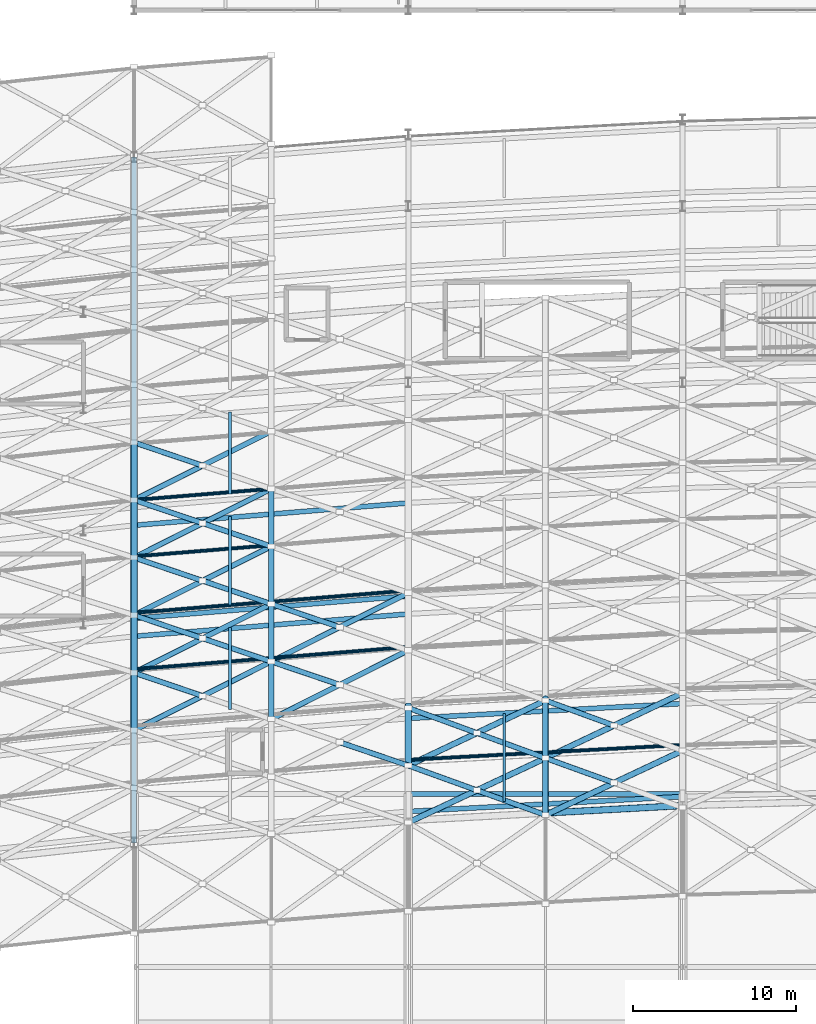
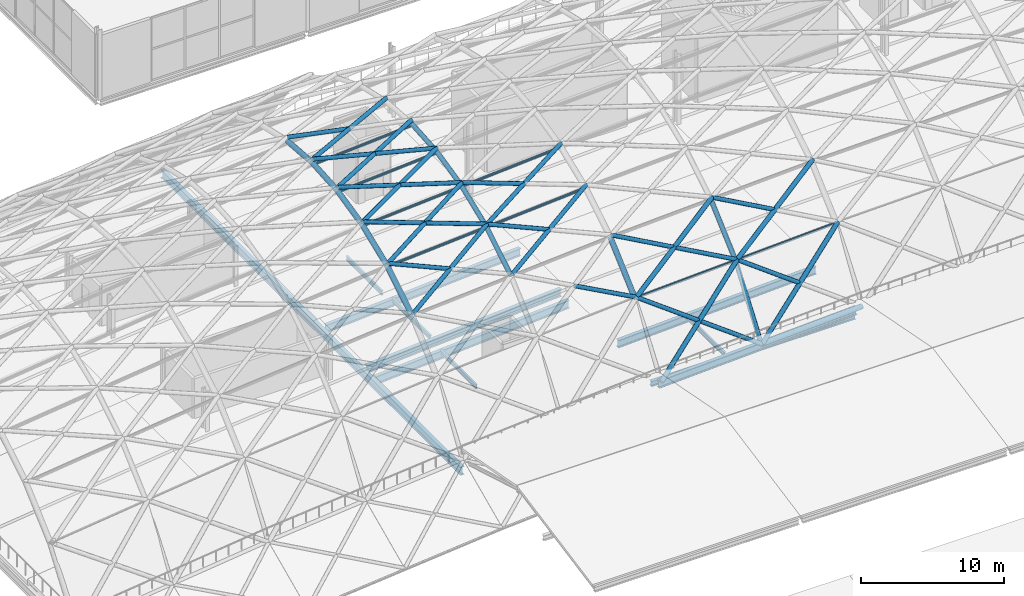
# One storey, part 15 of 100: 49 members, 11 beams.
"""IFC4 building model written with IfcOpenShell, lengths in metres."""

from ifc_helpers import new_model, si_unit, direction, frame, origin, origin_2d, place, context, subcontext, project, spatial, hollow_circle, i_section, extrude, material, material_profile, profile_set, type_object, element, save


model = new_model("IFC4")

# Units and contexts
model_context = context("Model", 3, precision=1e-05, world=origin(), true_north=direction((0.0, 1.0)))
body_context = subcontext(model_context, "Body", "Model", "MODEL_VIEW")
ifc_project = project(units=[si_unit("LENGTHUNIT", "METRE"), si_unit("AREAUNIT", "SQUARE_METRE"), si_unit("VOLUMEUNIT", "CUBIC_METRE"), si_unit("PLANEANGLEUNIT", "RADIAN"), si_unit("MASSUNIT", "GRAM", prefix="KILO")], contexts=[model_context])

# Site, building, storey
site_placement = place(None, origin())
site = spatial("IfcSite", under=ifc_project, at=site_placement, CompositionType="ELEMENT")
building_placement = place(site_placement, origin())
building = spatial("IfcBuilding", under=site, at=building_placement, Name="Kimbaza Rail Terminus", CompositionType="ELEMENT")
storey_placement = place(building_placement, frame((0.0, 0.0, 10.800048828125)))
storey = spatial("IfcBuildingStorey", under=building, at=storey_placement, Name="L02", CompositionType="ELEMENT", Elevation=10.800048828125)

# Beams
ifc_material_1 = material(Name="Steel S355", Category="steel")
ifc_material_profile_1 = material_profile(ifc_material_1, i_section(OverallWidth=0.300048828125, OverallDepth=0.43994140625, WebThickness=0.011474609375, FlangeThickness=0.02099609375, FilletRadius=0.027099609375, at=origin_2d()), Name="HEA 450")
ifc_profile_set_1 = profile_set([ifc_material_profile_1], Name="Steel S355")
beam_type_1 = type_object("IfcBeamType", Name="STR-BM-HEA450", PredefinedType="SPANDREL", material=ifc_profile_set_1)
beam_1_placement = place(storey_placement, frame((72.14599609375, 55.0, -1.179931640625), z_axis=(1.0, 0.0, 0.0), x_axis=(0.0, 1.0, 0.0)))
element("IfcBeam", 1, at=beam_1_placement, inside=storey, type_object=beam_type_1, Name="Beam BM-SKYEDGE-55-1", PredefinedType="SPANDREL", context=body_context, shape_type="SweptSolid", body=[
    extrude(i_section(OverallWidth=0.300048828125, OverallDepth=0.43994140625, WebThickness=0.011474609375, FlangeThickness=0.02099609375, FilletRadius=0.027099609375, at=origin_2d()), origin(), (0.0, 0.0, 1.0), 16.508056640625),
])
ifc_material_2 = material(Name="Steel S355", Category="steel")
ifc_material_profile_2 = material_profile(ifc_material_2, i_section(OverallWidth=0.300048828125, OverallDepth=0.64990234375, WebThickness=0.01611328125, FlangeThickness=0.031005859375, FilletRadius=0.027099609375, at=origin_2d()), Name="HEB 650")
ifc_profile_set_2 = profile_set([ifc_material_profile_2], Name="Steel S355")
beam_type_2 = type_object("IfcBeamType", Name="STR-BM-HEB650", PredefinedType="USERDEFINED", material=ifc_profile_set_2)
for number, where, z_axis, x_axis, name in (
    (2, (55.344482421875, 65.76708984375, -0.5849609375), (0.996689077675, 0.081307333267, 0.0), (-0.081307333267, 0.996689077675, 0.0), "Viaduct Chorded Girder P2 Bay 03"),
    (3, (55.344482421875, 71.46728515625, -0.5849609375), (0.996690271877, 0.081292693071, 0.0), (-0.081292693071, 0.996690271877, 0.0), "Viaduct Chorded Girder P2 Bay 03"),
):
    element("IfcBeam", number, at=place(storey_placement, frame(where, z_axis=z_axis, x_axis=x_axis)), inside=storey, type_object=beam_type_2, Name=name, ObjectType="GIRDER", PredefinedType="USERDEFINED", context=body_context, shape_type="SweptSolid", body=[
        extrude(i_section(OverallWidth=0.300048828125, OverallDepth=0.64990234375, WebThickness=0.01611328125, FlangeThickness=0.031005859375, FilletRadius=0.027099609375, at=origin_2d()), origin(), (0.0, 0.0, 1.0), 16.56591796875),
    ])
for number, where, z_axis, x_axis, name in (
    (4, (72.144775390625, 53.93359375, -0.5849609375), (0.998529923153, 0.054203252368, 0.0), (-0.054203252368, 0.998529923153, 0.0), "Viaduct Chorded Girder P1 Bay 04"),
    (5, (72.144775390625, 59.633544921875, -0.5849609375), (0.998529923153, 0.054203252368, 0.0), (-0.054203252368, 0.998529923153, 0.0), "Viaduct Chorded Girder P1 Bay 04"),
):
    element("IfcBeam", number, at=place(storey_placement, frame(where, z_axis=z_axis, x_axis=x_axis)), inside=storey, type_object=beam_type_2, Name=name, ObjectType="GIRDER", PredefinedType="USERDEFINED", context=body_context, shape_type="SweptSolid", body=[
        extrude(i_section(OverallWidth=0.300048828125, OverallDepth=0.64990234375, WebThickness=0.01611328125, FlangeThickness=0.031005859375, FilletRadius=0.027099609375, at=origin_2d()), origin(), (0.0, 0.0, 1.0), 16.534912109375),
    ])
ifc_material_3 = material(Name="Steel S355", Category="steel")
ifc_material_profile_3 = material_profile(ifc_material_3, i_section(OverallWidth=0.300048828125, OverallDepth=0.699951171875, WebThickness=0.01708984375, FlangeThickness=0.031982421875, FilletRadius=0.027099609375, at=origin_2d()), Name="HEB 700")
ifc_profile_set_3 = profile_set([ifc_material_profile_3], Name="Steel S355")
beam_type_3 = type_object("IfcBeamType", Name="STR-BM-HEB700", PredefinedType="USERDEFINED", material=ifc_profile_set_3)
beam_2_placement = place(storey_placement, frame((55.199951171875, 52.00537109375, -0.920166015625), z_axis=(0.0, 1.0, 0.0), x_axis=(-1.0, 0.0, 0.0)))
element("IfcBeam", 6, at=beam_2_placement, inside=storey, type_object=beam_type_3, Name="Viaduct Pier Crosshead Girder VP-03", ObjectType="GIRDER", PredefinedType="USERDEFINED", context=body_context, shape_type="SweptSolid", body=[
    extrude(i_section(OverallWidth=0.300048828125, OverallDepth=0.699951171875, WebThickness=0.01708984375, FlangeThickness=0.031982421875, FilletRadius=0.027099609375, at=origin_2d()), origin(), (0.0, 0.0, 1.0), 42.0),
])
beam_3_placement = place(storey_placement, frame((55.344482421875, 64.667236328125, -0.920166015625), z_axis=(0.996690271877, 0.081292693071, 0.0), x_axis=(-0.081292693071, 0.996690271877, 0.0)))
element("IfcBeam", 7, at=beam_3_placement, inside=storey, type_object=beam_type_3, Name="Viaduct Chorded Girder TR12 Bay 03", ObjectType="GIRDER", PredefinedType="USERDEFINED", context=body_context, shape_type="SweptSolid", body=[
    extrude(i_section(OverallWidth=0.300048828125, OverallDepth=0.699951171875, WebThickness=0.01708984375, FlangeThickness=0.031982421875, FilletRadius=0.027099609375, at=origin_2d()), origin(), (0.0, 0.0, 1.0), 16.56591796875),
])
ifc_material_4 = material(Name="Steel S355", Category="steel")
ifc_material_profile_4 = material_profile(ifc_material_4, i_section(OverallWidth=0.169921875, OverallDepth=0.360107421875, WebThickness=0.008056640625, FlangeThickness=0.0126953125, FilletRadius=0.01806640625, at=origin_2d()), Name="IPE 360")
ifc_profile_set_4 = profile_set([ifc_material_profile_4], Name="Steel S355")
beam_type_4 = type_object("IfcBeamType", Name="STR-BM-IPE360", PredefinedType="JOIST", material=ifc_profile_set_4)
beam_4_placement = place(storey_placement, frame((61.080078125, 60.185546875, -0.75), z_axis=(0.0, 1.0, 0.0), x_axis=(-1.0, 0.0, 0.0)))
element("IfcBeam", 8, at=beam_4_placement, inside=storey, type_object=beam_type_4, Name="Viaduct Diaphragm TR12 Bay 03", PredefinedType="JOIST", context=body_context, shape_type="SweptSolid", body=[
    extrude(i_section(OverallWidth=0.169921875, OverallDepth=0.360107421875, WebThickness=0.008056640625, FlangeThickness=0.0126953125, FilletRadius=0.01806640625, at=origin_2d()), origin(), (0.0, 0.0, 1.0), 5.010009765625),
])
beam_5_placement = place(storey_placement, frame((61.080078125, 66.585693359375, -0.43994140625), z_axis=(0.0, 1.0, 0.0), x_axis=(-1.0, 0.0, 0.0)))
element("IfcBeam", 9, at=beam_5_placement, inside=storey, type_object=beam_type_4, Name="Viaduct Diaphragm P2 Bay 03", PredefinedType="JOIST", context=body_context, shape_type="SweptSolid", body=[
    extrude(i_section(OverallWidth=0.169921875, OverallDepth=0.360107421875, WebThickness=0.008056640625, FlangeThickness=0.0126953125, FilletRadius=0.01806640625, at=origin_2d()), origin(), (0.0, 0.0, 1.0), 5.409912109375),
])
beam_6_placement = place(storey_placement, frame((61.080078125, 73.385498046875, -0.75), z_axis=(0.0, 1.0, 0.0), x_axis=(-1.0, 0.0, 0.0)))
element("IfcBeam", 10, at=beam_6_placement, inside=storey, type_object=beam_type_4, Name="Viaduct Diaphragm TR34 Bay 03", PredefinedType="JOIST", context=body_context, shape_type="SweptSolid", body=[
    extrude(i_section(OverallWidth=0.169921875, OverallDepth=0.360107421875, WebThickness=0.008056640625, FlangeThickness=0.0126953125, FilletRadius=0.01806640625, at=origin_2d()), origin(), (0.0, 0.0, 1.0), 5.010009765625),
])
beam_7_placement = place(storey_placement, frame((77.8798828125, 54.526611328125, -0.43994140625), z_axis=(0.0, 1.0, 0.0), x_axis=(-1.0, 0.0, 0.0)))
element("IfcBeam", 11, at=beam_7_placement, inside=storey, type_object=beam_type_4, Name="Viaduct Diaphragm P1 Bay 04", PredefinedType="JOIST", context=body_context, shape_type="SweptSolid", body=[
    extrude(i_section(OverallWidth=0.169921875, OverallDepth=0.360107421875, WebThickness=0.008056640625, FlangeThickness=0.0126953125, FilletRadius=0.01806640625, at=origin_2d()), origin(), (0.0, 0.0, 1.0), 5.41015625),
])

# Members
ifc_material_5 = material(Name="White painted steel S355", Category="steel")
ifc_material_profile_5 = material_profile(ifc_material_5, hollow_circle(Radius=0.109619140625, WallThickness=0.008056640625, at=origin_2d()), Name="CHS 219.1x8")
ifc_profile_set_5 = profile_set([ifc_material_profile_5], Name="White painted steel S355")
member_type_1 = type_object("IfcMemberType", Name="STR-MB-CHS219", PredefinedType="PURLIN", material=ifc_profile_set_5)
for number, where, z_axis, x_axis, name in (
    (12, (55.199951171875, 62.63427734375, 10.078857421875), (0.996688689454, 0.081312092054, 0.0), (-0.081312092054, 0.996688689454, 0.0), "Vault lattice longitudinal purlin VR-04-VA04"),
    (13, (55.199951171875, 66.09130859375, 11.462158203125), (0.996688689454, 0.081312092054, 0.0), (-0.081312092054, 0.996688689454, 0.0), "Vault lattice longitudinal purlin VR-04-VA05"),
    (14, (55.199951171875, 69.54833984375, 12.25244140625), (0.996688689454, 0.081312092054, 0.0), (-0.081312092054, 0.996688689454, 0.0), "Vault lattice longitudinal purlin VR-04-VA06"),
    (15, (55.199951171875, 73.00537109375, 12.510009765625), (0.996688689454, 0.081312092054, 0.0), (-0.081312092054, 0.996688689454, 0.0), "Vault lattice longitudinal purlin VR-04-VA07"),
):
    element("IfcMember", number, at=place(storey_placement, frame(where, z_axis=z_axis, x_axis=x_axis)), inside=storey, type_object=member_type_1, Name=name, PredefinedType="PURLIN", context=body_context, shape_type="SweptSolid", body=[
        extrude(hollow_circle(Radius=0.109619140625, WallThickness=0.008056640625, at=origin_2d()), origin(), (0.0, 0.0, 1.0), 8.427978515625),
    ])
for number, where, z_axis, x_axis, name in (
    (16, (63.60009765625, 63.319580078125, 10.078857421875), (0.996690845265, 0.081285662728, 0.0), (-0.081285662728, 0.996690845265, 0.0), "Vault lattice longitudinal purlin VR-05-VA04"),
    (17, (63.60009765625, 66.776611328125, 11.462158203125), (0.996690845265, 0.081285662728, 0.0), (-0.081285662728, 0.996690845265, 0.0), "Vault lattice longitudinal purlin VR-05-VA05"),
):
    element("IfcMember", number, at=place(storey_placement, frame(where, z_axis=z_axis, x_axis=x_axis)), inside=storey, type_object=member_type_1, Name=name, PredefinedType="PURLIN", context=body_context, shape_type="SweptSolid", body=[
        extrude(hollow_circle(Radius=0.109619140625, WallThickness=0.008056640625, at=origin_2d()), origin(), (0.0, 0.0, 1.0), 8.427734375),
    ])
member_1_placement = place(storey_placement, frame((72.0, 57.090576171875, 4.85205078125), z_axis=(0.998529393298, 0.054213012459, 0.0), x_axis=(-0.054213012459, 0.998529393298, 0.0)))
element("IfcMember", 18, at=member_1_placement, inside=storey, type_object=member_type_1, Name="Vault lattice longitudinal purlin VR-06-VA02", PredefinedType="PURLIN", context=body_context, shape_type="SweptSolid", body=[
    extrude(hollow_circle(Radius=0.109619140625, WallThickness=0.008056640625, at=origin_2d()), origin(), (0.0, 0.0, 1.0), 8.412353515625),
])
member_2_placement = place(storey_placement, frame((80.39990234375, 57.546630859375, 4.85205078125), z_axis=(0.998531049137, 0.054182505558, 0.0), x_axis=(-0.054182505558, 0.998531049137, 0.0)))
element("IfcMember", 19, at=member_2_placement, inside=storey, type_object=member_type_1, Name="Vault lattice longitudinal purlin VR-07-VA02", PredefinedType="PURLIN", context=body_context, shape_type="SweptSolid", body=[
    extrude(hollow_circle(Radius=0.109619140625, WallThickness=0.008056640625, at=origin_2d()), origin(), (0.0, 0.0, 1.0), 8.41259765625),
])
ifc_material_6 = material(Name="White painted steel S355", Category="steel")
ifc_material_profile_6 = material_profile(ifc_material_6, hollow_circle(Radius=0.161865234375, WallThickness=0.010009765625, at=origin_2d()), Name="CHS 323.9x10")
ifc_profile_set_6 = profile_set([ifc_material_profile_6], Name="White painted steel S355")
member_type_2 = type_object("IfcMemberType", Name="STR-MB-CHS323", PredefinedType="STRUT", material=ifc_profile_set_6)
member_3_placement = place(storey_placement, frame((55.199951171875, 58.898681640625, 8.350341796875), z_axis=(0.87141702085, 0.436936857142, 0.222976587658), x_axis=(-0.448221367873, 0.893922594737, 0.0)))
element("IfcMember", 20, at=member_3_placement, inside=storey, type_object=member_type_2, Name="Vault lattice diagonal A VR-04-VA03", PredefinedType="STRUT", context=body_context, shape_type="SweptSolid", body=[
    extrude(hollow_circle(Radius=0.161865234375, WallThickness=0.010009765625, at=origin_2d()), origin(), (0.0, 0.0, 1.0), 9.6396484375),
])
member_4_placement = place(storey_placement, frame((59.39990234375, 61.004638671875, 9.425048828125), z_axis=(-0.920600682029, 0.311451256723, 0.235568459123), x_axis=(-0.320470001168, -0.947258664965, 0.0)))
element("IfcMember", 21, at=member_4_placement, inside=storey, type_object=member_type_2, Name="Vault lattice diagonal B2 VR-04-VA03", PredefinedType="STRUT", context=body_context, shape_type="SweptSolid", body=[
    extrude(hollow_circle(Radius=0.161865234375, WallThickness=0.010009765625, at=origin_2d()), origin(), (0.0, 0.0, 1.0), 4.562255859375),
])
member_5_placement = place(storey_placement, frame((55.199951171875, 62.425537109375, 10.499755859375), z_axis=(0.884017286468, 0.443229058298, 0.148530936527), x_axis=(-0.448200606287, 0.893933004494, 0.0)))
element("IfcMember", 22, at=member_5_placement, inside=storey, type_object=member_type_2, Name="Vault lattice diagonal A VR-04-VA04", PredefinedType="STRUT", context=body_context, shape_type="SweptSolid", body=[
    extrude(hollow_circle(Radius=0.161865234375, WallThickness=0.010009765625, at=origin_2d()), origin(), (0.0, 0.0, 1.0), 9.502197265625),
])
member_6_placement = place(storey_placement, frame((63.60009765625, 63.110595703125, 10.499755859375), z_axis=(-0.935502677608, 0.316420023309, 0.157204036327), x_axis=(-0.320403878643, -0.947281032509, 0.0)))
element("IfcMember", 23, at=member_6_placement, inside=storey, type_object=member_type_2, Name="Vault lattice diagonal B1 VR-04-VA04", PredefinedType="STRUT", context=body_context, shape_type="SweptSolid", body=[
    extrude(hollow_circle(Radius=0.161865234375, WallThickness=0.010009765625, at=origin_2d()), origin(), (0.0, 0.0, 1.0), 4.48974609375),
])
member_7_placement = place(storey_placement, frame((59.39990234375, 64.53125, 11.20556640625), z_axis=(-0.935487786223, 0.316487758869, 0.157156292634), x_axis=(-0.320470001168, -0.947258664965, 0.0)))
element("IfcMember", 24, at=member_7_placement, inside=storey, type_object=member_type_2, Name="Vault lattice diagonal B2 VR-04-VA04", PredefinedType="STRUT", context=body_context, shape_type="SweptSolid", body=[
    extrude(hollow_circle(Radius=0.161865234375, WallThickness=0.010009765625, at=origin_2d()), origin(), (0.0, 0.0, 1.0), 4.489501953125),
])
member_8_placement = place(storey_placement, frame((55.199951171875, 65.9521484375, 11.9111328125), z_axis=(0.890651138534, 0.446581028337, 0.085474759771), x_axis=(-0.448221367873, 0.893922594737, 0.0)))
element("IfcMember", 25, at=member_8_placement, inside=storey, type_object=member_type_2, Name="Vault lattice diagonal A VR-04-VA05", PredefinedType="STRUT", context=body_context, shape_type="SweptSolid", body=[
    extrude(hollow_circle(Radius=0.161865234375, WallThickness=0.010009765625, at=origin_2d()), origin(), (0.0, 0.0, 1.0), 9.431396484375),
])
member_9_placement = place(storey_placement, frame((63.60009765625, 66.63720703125, 11.9111328125), z_axis=(-0.943374429938, 0.319137362372, 0.090531921869), x_axis=(-0.320453286452, -0.947264319608, 0.0)))
element("IfcMember", 26, at=member_9_placement, inside=storey, type_object=member_type_2, Name="Vault lattice diagonal B1 VR-04-VA05", PredefinedType="STRUT", context=body_context, shape_type="SweptSolid", body=[
    extrude(hollow_circle(Radius=0.161865234375, WallThickness=0.010009765625, at=origin_2d()), origin(), (0.0, 0.0, 1.0), 4.452392578125),
])
member_10_placement = place(storey_placement, frame((59.39990234375, 68.05810546875, 12.314208984375), z_axis=(-0.943384904666, 0.319104618976, 0.090538189711), x_axis=(-0.320420591372, -0.94727537951, 0.0)))
element("IfcMember", 27, at=member_10_placement, inside=storey, type_object=member_type_2, Name="Vault lattice diagonal B2 VR-04-VA05", PredefinedType="STRUT", context=body_context, shape_type="SweptSolid", body=[
    extrude(hollow_circle(Radius=0.161865234375, WallThickness=0.010009765625, at=origin_2d()), origin(), (0.0, 0.0, 1.0), 4.451904296875),
])
member_11_placement = place(storey_placement, frame((55.199951171875, 69.478759765625, 12.71728515625), z_axis=(0.893573497658, 0.448046327247, 0.027944461403), x_axis=(-0.448221367873, 0.893922594737, 0.0)))
element("IfcMember", 28, at=member_11_placement, inside=storey, type_object=member_type_2, Name="Vault lattice diagonal A VR-04-VA06", PredefinedType="STRUT", context=body_context, shape_type="SweptSolid", body=[
    extrude(hollow_circle(Radius=0.161865234375, WallThickness=0.010009765625, at=origin_2d()), origin(), (0.0, 0.0, 1.0), 9.400634765625),
])
member_12_placement = place(storey_placement, frame((63.60009765625, 70.1640625, 12.71728515625), z_axis=(-0.946865670763, 0.32026338864, 0.029610191285), x_axis=(-0.320403878643, -0.947281032509, 0.0)))
element("IfcMember", 29, at=member_12_placement, inside=storey, type_object=member_type_2, Name="Vault lattice diagonal B1 VR-04-VA06", PredefinedType="STRUT", context=body_context, shape_type="SweptSolid", body=[
    extrude(hollow_circle(Radius=0.161865234375, WallThickness=0.010009765625, at=origin_2d()), origin(), (0.0, 0.0, 1.0), 4.435791015625),
])
member_13_placement = place(storey_placement, frame((59.39990234375, 71.584716796875, 12.8486328125), z_axis=(-0.946859976938, 0.320280079393, 0.029611734441), x_axis=(-0.320420591372, -0.94727537951, 0.0)))
element("IfcMember", 30, at=member_13_placement, inside=storey, type_object=member_type_2, Name="Vault lattice diagonal B2 VR-04-VA06", PredefinedType="STRUT", context=body_context, shape_type="SweptSolid", body=[
    extrude(hollow_circle(Radius=0.161865234375, WallThickness=0.010009765625, at=origin_2d()), origin(), (0.0, 0.0, 1.0), 4.435546875),
])
member_14_placement = place(storey_placement, frame((55.199951171875, 73.00537109375, 12.97998046875), z_axis=(0.893573497658, 0.448046327247, -0.027944461403), x_axis=(-0.448221367873, 0.893922594737, 0.0)))
element("IfcMember", 31, at=member_14_placement, inside=storey, type_object=member_type_2, Name="Vault lattice diagonal A VR-04-VA07", PredefinedType="STRUT", context=body_context, shape_type="SweptSolid", body=[
    extrude(hollow_circle(Radius=0.161865234375, WallThickness=0.010009765625, at=origin_2d()), origin(), (0.0, 0.0, 1.0), 9.400634765625),
])
member_15_placement = place(storey_placement, frame((59.39990234375, 75.111328125, 12.8486328125), z_axis=(-0.946859976938, 0.320280079393, -0.029611734441), x_axis=(-0.320420591372, -0.94727537951, 0.0)))
element("IfcMember", 32, at=member_15_placement, inside=storey, type_object=member_type_2, Name="Vault lattice diagonal B2 VR-04-VA07", PredefinedType="STRUT", context=body_context, shape_type="SweptSolid", body=[
    extrude(hollow_circle(Radius=0.161865234375, WallThickness=0.010009765625, at=origin_2d()), origin(), (0.0, 0.0, 1.0), 4.435546875),
])
member_16_placement = place(storey_placement, frame((72.0, 56.742431640625, 5.167724609375), z_axis=(-0.891574647025, 0.301631369278, 0.337806402913), x_axis=(-0.320470001168, -0.947258664965, 0.0)))
element("IfcMember", 33, at=member_16_placement, inside=storey, type_object=member_type_2, Name="Vault lattice diagonal B1 VR-05-VA02", PredefinedType="STRUT", context=body_context, shape_type="SweptSolid", body=[
    extrude(hollow_circle(Radius=0.161865234375, WallThickness=0.010009765625, at=origin_2d()), origin(), (0.0, 0.0, 1.0), 4.710693359375),
])
member_17_placement = place(storey_placement, frame((63.60009765625, 59.583984375, 8.350341796875), z_axis=(0.871410926215, 0.436946500583, 0.222981508876), x_axis=(-0.448231777961, 0.893917374944, 0.0)))
element("IfcMember", 34, at=member_17_placement, inside=storey, type_object=member_type_2, Name="Vault lattice diagonal A VR-05-VA03", PredefinedType="STRUT", context=body_context, shape_type="SweptSolid", body=[
    extrude(hollow_circle(Radius=0.161865234375, WallThickness=0.010009765625, at=origin_2d()), origin(), (0.0, 0.0, 1.0), 9.639404296875),
])
member_18_placement = place(storey_placement, frame((67.800048828125, 61.68994140625, 9.425048828125), z_axis=(-0.920616024737, 0.311402932509, 0.235572385101), x_axis=(-0.320420591372, -0.94727537951, 0.0)))
element("IfcMember", 35, at=member_18_placement, inside=storey, type_object=member_type_2, Name="Vault lattice diagonal B2 VR-05-VA03", PredefinedType="STRUT", context=body_context, shape_type="SweptSolid", body=[
    extrude(hollow_circle(Radius=0.161865234375, WallThickness=0.010009765625, at=origin_2d()), origin(), (0.0, 0.0, 1.0), 4.56201171875),
])
member_19_placement = place(storey_placement, frame((63.60009765625, 63.110595703125, 10.499755859375), z_axis=(0.884001604443, 0.443259770966, 0.148532618592), x_axis=(-0.448231777961, 0.893917374944, 0.0)))
element("IfcMember", 36, at=member_19_placement, inside=storey, type_object=member_type_2, Name="Vault lattice diagonal A VR-05-VA04", PredefinedType="STRUT", context=body_context, shape_type="SweptSolid", body=[
    extrude(hollow_circle(Radius=0.161865234375, WallThickness=0.010009765625, at=origin_2d()), origin(), (0.0, 0.0, 1.0), 9.502197265625),
])
member_20_placement = place(storey_placement, frame((67.800048828125, 65.216552734375, 11.20556640625), z_axis=(-0.93550388537, 0.316438825145, 0.157158997193), x_axis=(-0.320420591372, -0.94727537951, 0.0)))
element("IfcMember", 37, at=member_20_placement, inside=storey, type_object=member_type_2, Name="Vault lattice diagonal B2 VR-05-VA04", PredefinedType="STRUT", context=body_context, shape_type="SweptSolid", body=[
    extrude(hollow_circle(Radius=0.161865234375, WallThickness=0.010009765625, at=origin_2d()), origin(), (0.0, 0.0, 1.0), 4.489501953125),
])
for number, where, z_axis, x_axis, name in (
    (38, (80.39990234375, 53.707275390625, 0.064208984375), (-0.816578115459, 0.295056069621, 0.496127097761), (-0.339828506606, -0.940487419426, 0.0), "Vault lattice diagonal B1 VR-06-VA01"),
    (39, (76.199951171875, 55.224853515625, 2.615966796875), (-0.816578115459, 0.295056069621, 0.496127097761), (-0.339828506606, -0.940487419426, 0.0), "Vault lattice diagonal B2 VR-06-VA01"),
):
    element("IfcMember", number, at=place(storey_placement, frame(where, z_axis=z_axis, x_axis=x_axis)), inside=storey, type_object=member_type_2, Name=name, PredefinedType="STRUT", context=body_context, shape_type="SweptSolid", body=[
        extrude(hollow_circle(Radius=0.161865234375, WallThickness=0.010009765625, at=origin_2d()), origin(), (0.0, 0.0, 1.0), 5.143310546875),
    ])
member_21_placement = place(storey_placement, frame((80.39990234375, 57.198486328125, 5.167724609375), z_axis=(-0.884866081259, 0.323434163748, 0.335264611849), x_axis=(-0.343303176831, -0.939224642339, 0.0)))
element("IfcMember", 40, at=member_21_placement, inside=storey, type_object=member_type_2, Name="Vault lattice diagonal B1 VR-06-VA02", PredefinedType="STRUT", context=body_context, shape_type="SweptSolid", body=[
    extrude(hollow_circle(Radius=0.161865234375, WallThickness=0.010009765625, at=origin_2d()), origin(), (0.0, 0.0, 1.0), 4.746337890625),
])
member_22_placement = place(storey_placement, frame((76.199951171875, 58.733642578125, 6.759033203125), z_axis=(-0.884851359473, 0.323480218551, 0.33525903395), x_axis=(-0.343351337448, -0.939207037385, 0.0)))
element("IfcMember", 41, at=member_22_placement, inside=storey, type_object=member_type_2, Name="Vault lattice diagonal B2 VR-06-VA02", PredefinedType="STRUT", context=body_context, shape_type="SweptSolid", body=[
    extrude(hollow_circle(Radius=0.161865234375, WallThickness=0.010009765625, at=origin_2d()), origin(), (0.0, 0.0, 1.0), 4.74658203125),
])
member_23_placement = place(storey_placement, frame((84.60009765625, 55.680908203125, 2.615966796875), z_axis=(-0.816593930617, 0.295044633383, 0.496107868101), x_axis=(-0.339811034683, -0.940493732413, 0.0)))
element("IfcMember", 42, at=member_23_placement, inside=storey, type_object=member_type_2, Name="Vault lattice diagonal B2 VR-07-VA01", PredefinedType="STRUT", context=body_context, shape_type="SweptSolid", body=[
    extrude(hollow_circle(Radius=0.161865234375, WallThickness=0.010009765625, at=origin_2d()), origin(), (0.0, 0.0, 1.0), 5.1435546875),
])
member_24_placement = place(storey_placement, frame((84.60009765625, 59.189697265625, 6.759033203125), z_axis=(-0.884862522254, 0.323465496539, 0.335243775869), x_axis=(-0.343333732431, -0.939213473165, 0.0)))
element("IfcMember", 43, at=member_24_placement, inside=storey, type_object=member_type_2, Name="Vault lattice diagonal B2 VR-07-VA02", PredefinedType="STRUT", context=body_context, shape_type="SweptSolid", body=[
    extrude(hollow_circle(Radius=0.161865234375, WallThickness=0.010009765625, at=origin_2d()), origin(), (0.0, 0.0, 1.0), 4.746826171875),
])
ifc_material_7 = material(Name="White painted steel S355", Category="steel")
ifc_material_profile_7 = material_profile(ifc_material_7, hollow_circle(Radius=0.177734375, WallThickness=0.012451171875, at=origin_2d()), Name="CHS 355.6x12.5")
ifc_profile_set_7 = profile_set([ifc_material_profile_7], Name="White painted steel S355")
member_type_3 = type_object("IfcMemberType", Name="STR-MB-CHS355", PredefinedType="CHORD", material=ifc_profile_set_7)
member_25_placement = place(storey_placement, frame((63.60009765625, 59.76171875, 8.108642578125), z_axis=(0.0, 0.853901304322, 0.520434974302), x_axis=(-1.0, 0.0, 0.0)))
element("IfcMember", 44, at=member_25_placement, inside=storey, type_object=member_type_3, Name="Vault lattice arch chord VR-05 seg 4", PredefinedType="CHORD", context=body_context, shape_type="SweptSolid", body=[
    extrude(hollow_circle(Radius=0.177734375, WallThickness=0.012451171875, at=origin_2d()), origin(), (0.0, 0.0, 1.0), 4.077880859375),
])
member_26_placement = place(storey_placement, frame((63.60009765625, 63.243896484375, 10.23095703125), z_axis=(0.0, 0.928413829694, 0.37154779078), x_axis=(-1.0, 0.0, 0.0)))
element("IfcMember", 45, at=member_26_placement, inside=storey, type_object=member_type_3, Name="Vault lattice arch chord VR-05 seg 5", PredefinedType="CHORD", context=body_context, shape_type="SweptSolid", body=[
    extrude(hollow_circle(Radius=0.177734375, WallThickness=0.012451171875, at=origin_2d()), origin(), (0.0, 0.0, 1.0), 3.750732421875),
])
member_27_placement = place(storey_placement, frame((63.60009765625, 66.72607421875, 11.62451171875), z_axis=(0.0, 0.974848749884, 0.22286748271), x_axis=(-1.0, 0.0, 0.0)))
element("IfcMember", 46, at=member_27_placement, inside=storey, type_object=member_type_3, Name="Vault lattice arch chord VR-05 seg 6", PredefinedType="CHORD", context=body_context, shape_type="SweptSolid", body=[
    extrude(hollow_circle(Radius=0.177734375, WallThickness=0.012451171875, at=origin_2d()), origin(), (0.0, 0.0, 1.0), 3.572265625),
])
member_28_placement = place(storey_placement, frame((63.60009765625, 70.20849609375, 12.420654296875), z_axis=(0.0, 0.997239447362, 0.074252842537), x_axis=(-1.0, 0.0, 0.0)))
element("IfcMember", 47, at=member_28_placement, inside=storey, type_object=member_type_3, Name="Vault lattice arch chord VR-05 seg 7", PredefinedType="CHORD", context=body_context, shape_type="SweptSolid", body=[
    extrude(hollow_circle(Radius=0.177734375, WallThickness=0.012451171875, at=origin_2d()), origin(), (0.0, 0.0, 1.0), 3.49169921875),
])
member_29_placement = place(storey_placement, frame((80.39990234375, 53.831787109375, 0.0), z_axis=(0.0, 0.585733481953, 0.810503724926), x_axis=(-1.0, 0.0, 0.0)))
element("IfcMember", 48, at=member_29_placement, inside=storey, type_object=member_type_3, Name="Vault lattice arch chord VR-07 seg 2", PredefinedType="CHORD", context=body_context, shape_type="SweptSolid", body=[
    extrude(hollow_circle(Radius=0.177734375, WallThickness=0.012451171875, at=origin_2d()), origin(), (0.0, 0.0, 1.0), 6.127197265625),
])
member_30_placement = place(storey_placement, frame((80.39990234375, 57.420654296875, 4.966064453125), z_axis=(0.0, 0.742379857618, 0.669979213859), x_axis=(-1.0, 0.0, 0.0)))
element("IfcMember", 49, at=member_30_placement, inside=storey, type_object=member_type_3, Name="Vault lattice arch chord VR-07 seg 3", PredefinedType="CHORD", context=body_context, shape_type="SweptSolid", body=[
    extrude(hollow_circle(Radius=0.177734375, WallThickness=0.012451171875, at=origin_2d()), origin(), (0.0, 0.0, 1.0), 4.690673828125),
])
member_31_placement = place(storey_placement, frame((72.0, 53.251220703125, 0.064208984375), z_axis=(0.793060967773, 0.372673653634, 0.481838820854), x_axis=(-0.425300380162, 0.9050522563, 0.0)))
element("IfcMember", 50, at=member_31_placement, inside=storey, type_object=member_type_3, Name="Vault lattice diagonal A VR-06-VA01", PredefinedType="CHORD", context=body_context, shape_type="SweptSolid", body=[
    extrude(hollow_circle(Radius=0.177734375, WallThickness=0.012451171875, at=origin_2d()), origin(), (0.0, 0.0, 1.0), 10.591796875),
])
member_32_placement = place(storey_placement, frame((72.0, 56.742431640625, 5.167724609375), z_axis=(0.854870354612, 0.405321748962, 0.323899608868), x_axis=(-0.428417090475, 0.903581095745, 0.0)))
element("IfcMember", 51, at=member_32_placement, inside=storey, type_object=member_type_3, Name="Vault lattice diagonal A VR-06-VA02", PredefinedType="CHORD", context=body_context, shape_type="SweptSolid", body=[
    extrude(hollow_circle(Radius=0.177734375, WallThickness=0.012451171875, at=origin_2d()), origin(), (0.0, 0.0, 1.0), 9.825927734375),
])
member_33_placement = place(storey_placement, frame((80.39990234375, 53.707275390625, 0.064208984375), z_axis=(0.793076332588, 0.372646992442, 0.481834151667), x_axis=(-0.42526870798, 0.905067138953, 0.0)))
element("IfcMember", 52, at=member_33_placement, inside=storey, type_object=member_type_3, Name="Vault lattice diagonal A VR-07-VA01", PredefinedType="CHORD", context=body_context, shape_type="SweptSolid", body=[
    extrude(hollow_circle(Radius=0.177734375, WallThickness=0.012451171875, at=origin_2d()), origin(), (0.0, 0.0, 1.0), 10.591796875),
])
member_34_placement = place(storey_placement, frame((80.39990234375, 57.198486328125, 5.167724609375), z_axis=(0.854885651843, 0.405292375181, 0.323895990857), x_axis=(-0.42838548212, 0.903596081614, 0.0)))
element("IfcMember", 53, at=member_34_placement, inside=storey, type_object=member_type_3, Name="Vault lattice diagonal A VR-07-VA02", PredefinedType="CHORD", context=body_context, shape_type="SweptSolid", body=[
    extrude(hollow_circle(Radius=0.177734375, WallThickness=0.012451171875, at=origin_2d()), origin(), (0.0, 0.0, 1.0), 9.825927734375),
])
ifc_material_8 = material(Name="White painted steel S355", Category="steel")
ifc_material_profile_8 = material_profile(ifc_material_8, hollow_circle(Radius=0.203125, WallThickness=0.01416015625, at=origin_2d()), Name="CHS 406.4x14.2")
ifc_profile_set_8 = profile_set([ifc_material_profile_8], Name="White painted steel S355")
member_type_4 = type_object("IfcMemberType", Name="STR-MB-CHS406", PredefinedType="CHORD", material=ifc_profile_set_8)
member_35_placement = place(storey_placement, frame((55.199951171875, 59.07666015625, 8.108642578125), z_axis=(0.0, 0.853901304322, 0.520434974302), x_axis=(-1.0, 0.0, 0.0)))
element("IfcMember", 54, at=member_35_placement, inside=storey, type_object=member_type_4, Name="Vault lattice arch chord VR-04 seg 4", PredefinedType="CHORD", context=body_context, shape_type="SweptSolid", body=[
    extrude(hollow_circle(Radius=0.203125, WallThickness=0.01416015625, at=origin_2d()), origin(), (0.0, 0.0, 1.0), 4.077880859375),
])
member_36_placement = place(storey_placement, frame((55.199951171875, 62.558837890625, 10.23095703125), z_axis=(0.0, 0.928413829694, 0.37154779078), x_axis=(-1.0, 0.0, 0.0)))
element("IfcMember", 55, at=member_36_placement, inside=storey, type_object=member_type_4, Name="Vault lattice arch chord VR-04 seg 5", PredefinedType="CHORD", context=body_context, shape_type="SweptSolid", body=[
    extrude(hollow_circle(Radius=0.203125, WallThickness=0.01416015625, at=origin_2d()), origin(), (0.0, 0.0, 1.0), 3.750732421875),
])
member_37_placement = place(storey_placement, frame((55.199951171875, 66.041015625, 11.62451171875), z_axis=(0.0, 0.974845354939, 0.22288233208), x_axis=(-1.0, 0.0, 0.0)))
element("IfcMember", 56, at=member_37_placement, inside=storey, type_object=member_type_4, Name="Vault lattice arch chord VR-04 seg 6", PredefinedType="CHORD", context=body_context, shape_type="SweptSolid", body=[
    extrude(hollow_circle(Radius=0.203125, WallThickness=0.01416015625, at=origin_2d()), origin(), (0.0, 0.0, 1.0), 3.572021484375),
])
for number, where, z_axis, x_axis, name in (
    (57, (55.199951171875, 69.523193359375, 12.420654296875), (0.0, 0.997239447362, 0.074252842537), (-1.0, 0.0, 0.0), "Vault lattice arch chord VR-04 seg 7"),
    (58, (55.199951171875, 73.00537109375, 12.679931640625), (0.0, 0.997239447362, -0.074252842537), (-1.0, 0.0, 0.0), "Vault lattice arch chord VR-04 seg 8"),
):
    element("IfcMember", number, at=place(storey_placement, frame(where, z_axis=z_axis, x_axis=x_axis)), inside=storey, type_object=member_type_4, Name=name, PredefinedType="CHORD", context=body_context, shape_type="SweptSolid", body=[
        extrude(hollow_circle(Radius=0.203125, WallThickness=0.01416015625, at=origin_2d()), origin(), (0.0, 0.0, 1.0), 3.49169921875),
    ])
member_38_placement = place(storey_placement, frame((72.0, 56.964599609375, 4.966064453125), z_axis=(0.0, 0.742379857618, 0.669979213859), x_axis=(-1.0, 0.0, 0.0)))
element("IfcMember", 59, at=member_38_placement, inside=storey, type_object=member_type_4, Name="Vault lattice arch chord VR-06 seg 3", PredefinedType="CHORD", context=body_context, shape_type="SweptSolid", body=[
    extrude(hollow_circle(Radius=0.203125, WallThickness=0.01416015625, at=origin_2d()), origin(), (0.0, 0.0, 1.0), 4.690673828125),
])
member_39_placement = place(storey_placement, frame((80.39990234375, 53.831787109375, 0.0), z_axis=(0.998531049137, 0.054182505558, 0.0), x_axis=(-0.054182505558, 0.998531049137, 0.0)))
element("IfcMember", 60, at=member_39_placement, inside=storey, type_object=member_type_4, Name="Vault lattice springing ring chord VR-07", PredefinedType="CHORD", context=body_context, shape_type="SweptSolid", body=[
    extrude(hollow_circle(Radius=0.203125, WallThickness=0.01416015625, at=origin_2d()), origin(), (0.0, 0.0, 1.0), 8.41259765625),
])

save(model, "model.ifc")
